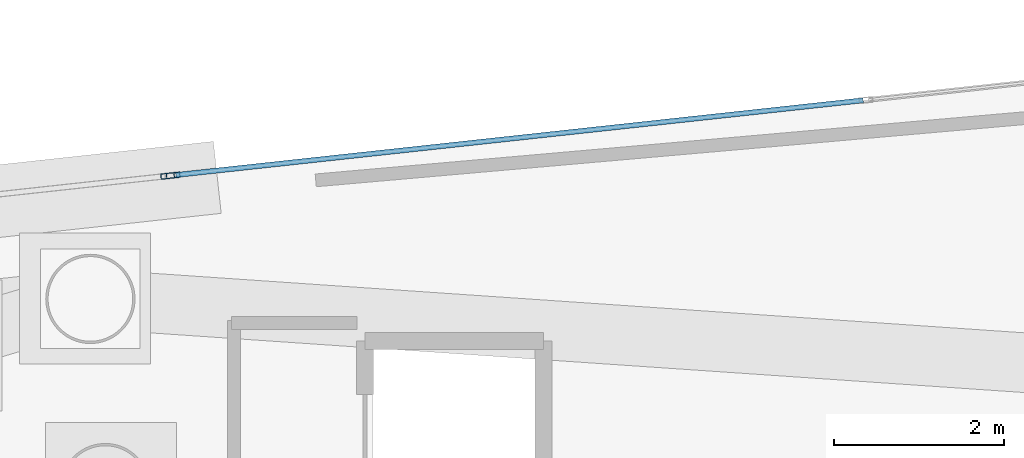
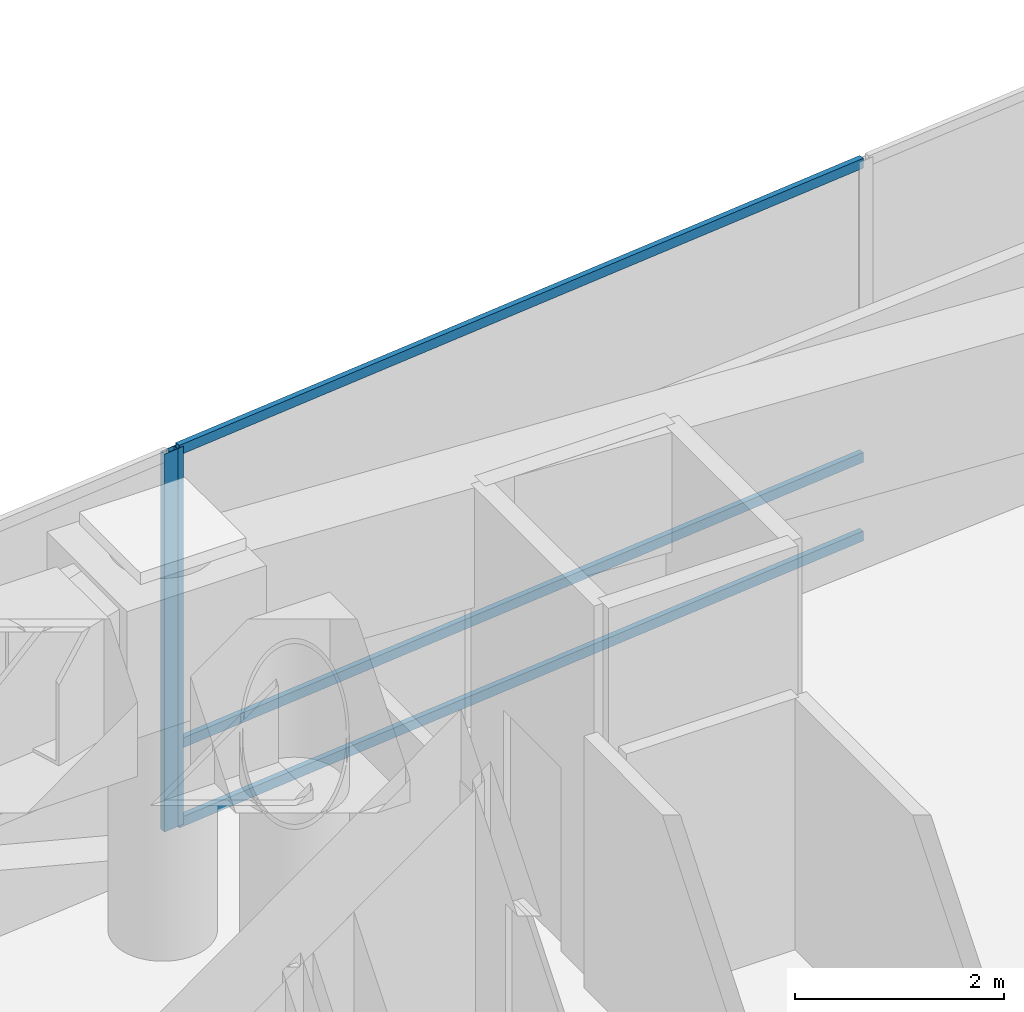
# One storey, part 12 of 21: 5 members, 2 elements without a shape of their own.
"""IFC4 building model written with IfcOpenShell, lengths in metres."""

from ifc_helpers import new_model, si_unit, direction, frame, origin, origin_2d, place, context, subcontext, project, spatial, hollow_rectangle, extrude, material, layer, layer_set, material_profile, profile_set, type_object, element, aggregate, save


model = new_model("IFC4")

# Units and contexts
model_context = context("Model", 3, precision=1e-05, world=origin(), true_north=direction((0.0, 1.0)))
body_context = subcontext(model_context, "Body", "Model", "MODEL_VIEW")
ifc_project = project(units=[si_unit("LENGTHUNIT", "METRE"), si_unit("AREAUNIT", "SQUARE_METRE"), si_unit("VOLUMEUNIT", "CUBIC_METRE"), si_unit("PLANEANGLEUNIT", "RADIAN"), si_unit("MASSUNIT", "GRAM", prefix="KILO")], contexts=[model_context])

# Site, building, storey
site_placement = place(None, origin())
site = spatial("IfcSite", under=ifc_project, at=site_placement, CompositionType="ELEMENT")
building_placement = place(site_placement, origin())
building = spatial("IfcBuilding", under=site, at=building_placement, Name="Qianvela Tower", CompositionType="ELEMENT")
storey_placement = place(building_placement, frame((0.0, 0.0, 276.0)))
storey = spatial("IfcBuildingStorey", under=building, at=storey_placement, Name="L71", CompositionType="ELEMENT", Elevation=276.0)

# Curtain wall, member
ifc_material_1 = material(Name="Anodised Architectural Aluminium and Insulated Spandrel Panel", Category="aluminium")
ifc_layer_1 = layer(ifc_material_1, 0.179931640625)
ifc_layer_set_1 = layer_set([ifc_layer_1], Name="Anodised Architectural Aluminium and Insulated Spandrel Panel")
curtain_wall_type_1 = type_object("IfcCurtainWallType", Name="CW-BRACEBAY", PredefinedType="USERDEFINED", material=ifc_layer_set_1)
curtain_wall_1_placement = place(storey_placement, origin())
curtain_wall_1 = element("IfcCurtainWall", 1, at=curtain_wall_1_placement, inside=storey, type_object=curtain_wall_type_1, Name="L71 CW-BRACEBAY Curtain Wall 02B", ObjectType="CURTAIN_WALL_SYSTEM", PredefinedType="USERDEFINED")
ifc_material_2 = material(Name="Anodised Architectural Aluminium 6063-T6", Category="aluminium")
ifc_material_profile_1 = material_profile(ifc_material_2, hollow_rectangle(XDim=0.06494140625, YDim=0.159912109375, WallThickness=0.0048828125, at=origin_2d()), Name="ALU-MULL-65x160")
ifc_profile_set_1 = profile_set([ifc_material_profile_1], Name="Anodised Architectural Aluminium 6063-T6")
member_type_1 = type_object("IfcMemberType", Name="CW-BRACEBAY-MULL", PredefinedType="MULLION", material=ifc_profile_set_1)
member_1_placement = place(storey_placement, frame((39.132568359375, 37.2177734375, 0.0), z_axis=(0.0, 0.0, 1.0), x_axis=(0.108121993618, -0.994137633578, 0.0)))
member_1 = element("IfcMember", 2, at=member_1_placement, type_object=member_type_1, Name="CW-9 mullion 1", PredefinedType="MULLION", context=body_context, shape_type="SweptSolid", body=[
    extrude(hollow_rectangle(XDim=0.06494140625, YDim=0.159912109375, WallThickness=0.0048828125, at=origin_2d()), origin(), (0.0, 0.0, 1.0), 4.419921875),
])
aggregate(curtain_wall_1, [member_1])

# Curtain wall, members
ifc_material_3 = material(Name="Anodised Architectural Aluminium and Low-E Glass", Category="aluminium")
ifc_layer_2 = layer(ifc_material_3, 0.159912109375)
ifc_layer_set_2 = layer_set([ifc_layer_2], Name="Anodised Architectural Aluminium and Low-E Glass")
curtain_wall_type_2 = type_object("IfcCurtainWallType", Name="CW-COLIV-Z56", PredefinedType="USERDEFINED", material=ifc_layer_set_2)
curtain_wall_2_placement = place(storey_placement, origin())
curtain_wall_2 = element("IfcCurtainWall", 3, at=curtain_wall_2_placement, inside=storey, type_object=curtain_wall_type_2, Name="L71 CW-COLIV-Z56 Curtain Wall 02A", ObjectType="CURTAIN_WALL_SYSTEM", PredefinedType="USERDEFINED")
ifc_material_4 = material(Name="Anodised Architectural Aluminium 6063-T6", Category="aluminium")
ifc_material_profile_2 = material_profile(ifc_material_4, hollow_rectangle(XDim=0.06494140625, YDim=0.159912109375, WallThickness=0.0048828125, at=origin_2d()), Name="ALU-MULL-65x160")
ifc_profile_set_2 = profile_set([ifc_material_profile_2], Name="Anodised Architectural Aluminium 6063-T6")
member_type_2 = type_object("IfcMemberType", Name="CW-COLIV-Z56-MULL", PredefinedType="MULLION", material=ifc_profile_set_2)
member_2_placement = place(storey_placement, frame((39.197265625, 37.224853515625, 0.0), z_axis=(0.0, 0.0, 1.0), x_axis=(0.108120604534, -0.994137784653, 0.0)))
member_2 = element("IfcMember", 4, at=member_2_placement, type_object=member_type_2, Name="CW-5 mullion 3", PredefinedType="MULLION", context=body_context, shape_type="SweptSolid", body=[
    extrude(hollow_rectangle(XDim=0.06494140625, YDim=0.159912109375, WallThickness=0.0048828125, at=origin_2d()), origin(), (0.0, 0.0, 1.0), 4.419921875),
])
ifc_material_5 = material(Name="Anodised Architectural Aluminium 6063-T6", Category="aluminium")
ifc_material_profile_3 = material_profile(ifc_material_5, hollow_rectangle(XDim=0.06005859375, YDim=0.114990234375, WallThickness=0.00390625, at=origin_2d()), Name="ALU-TRAN-60x115")
ifc_profile_set_3 = profile_set([ifc_material_profile_3], Name="Anodised Architectural Aluminium 6063-T6")
member_type_3 = type_object("IfcMemberType", Name="CW-COLIV-Z56-TRAN", PredefinedType="USERDEFINED", material=ifc_profile_set_3)
member_3_placement = place(storey_placement, frame((47.304443359375, 38.106689453125, 0.030029296875), z_axis=(-0.994138354599, -0.108115363915, 0.0), x_axis=(0.108115363915, -0.994138354599, 0.0)))
member_3 = element("IfcMember", 5, at=member_3_placement, type_object=member_type_3, Name="CW-5 transom 2.1", ObjectType="TRANSOM", PredefinedType="USERDEFINED", context=body_context, shape_type="SweptSolid", body=[
    extrude(hollow_rectangle(XDim=0.06005859375, YDim=0.114990234375, WallThickness=0.00390625, at=origin_2d()), origin(), (0.0, 0.0, 1.0), 8.12255859375),
])
member_4_placement = place(storey_placement, frame((47.304443359375, 38.106689453125, 0.949951171875), z_axis=(-0.994138354599, -0.108115363915, 0.0), x_axis=(0.108115363915, -0.994138354599, 0.0)))
member_4 = element("IfcMember", 6, at=member_4_placement, type_object=member_type_3, Name="CW-5 transom 2.2", ObjectType="TRANSOM", PredefinedType="USERDEFINED", context=body_context, shape_type="SweptSolid", body=[
    extrude(hollow_rectangle(XDim=0.06005859375, YDim=0.114990234375, WallThickness=0.00390625, at=origin_2d()), origin(), (0.0, 0.0, 1.0), 8.12255859375),
])
member_5_placement = place(storey_placement, frame((47.304443359375, 38.106689453125, 4.389892578125), z_axis=(-0.994138354599, -0.108115363915, 0.0), x_axis=(0.108115363915, -0.994138354599, 0.0)))
member_5 = element("IfcMember", 7, at=member_5_placement, type_object=member_type_3, Name="CW-5 transom 2.3", ObjectType="TRANSOM", PredefinedType="USERDEFINED", context=body_context, shape_type="SweptSolid", body=[
    extrude(hollow_rectangle(XDim=0.06005859375, YDim=0.114990234375, WallThickness=0.00390625, at=origin_2d()), origin(), (0.0, 0.0, 1.0), 8.12255859375),
])
aggregate(curtain_wall_2, [member_2, member_3, member_4, member_5])

save(model, "model.ifc")
